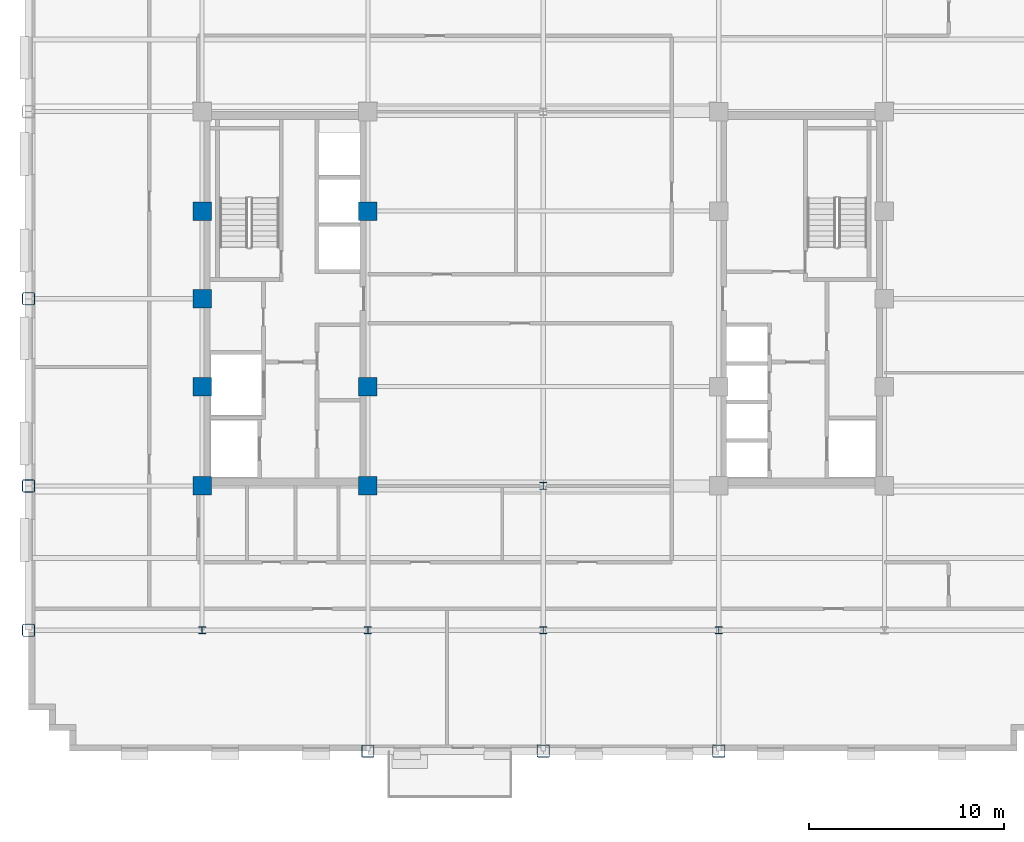
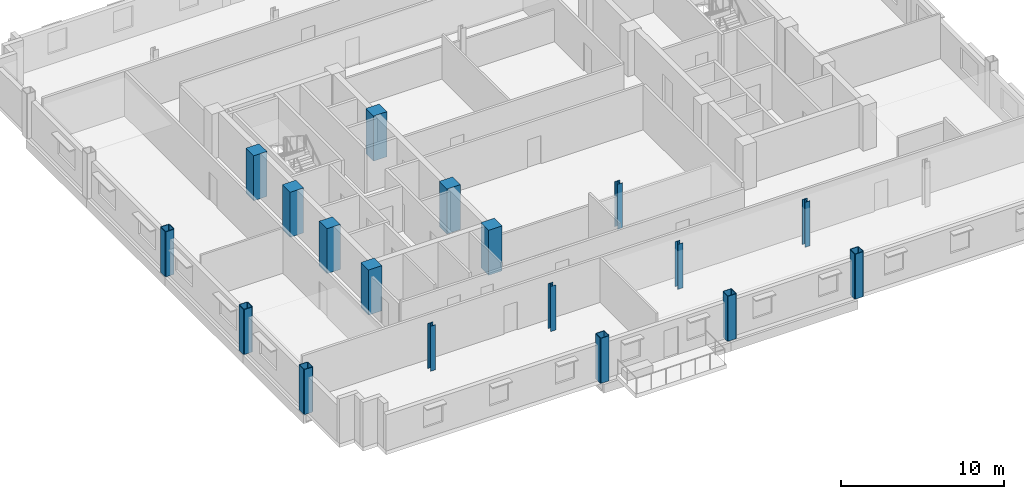
# One storey, part 1 of 14: 18 columns.
"""IFC4 building model written with IfcOpenShell, lengths in metres."""

from ifc_helpers import new_model, si_unit, direction, frame, origin, origin_2d, place, context, subcontext, project, spatial, rectangle, hollow_rectangle, i_section, extrude, material, material_profile, profile_set, type_object, element, save


model = new_model("IFC4")

# Units and contexts
model_context = context("Model", 3, precision=1e-05, world=origin(), true_north=direction((0.0, 1.0)))
body_context = subcontext(model_context, "Body", "Model", "MODEL_VIEW")
ifc_project = project(units=[si_unit("LENGTHUNIT", "METRE"), si_unit("AREAUNIT", "SQUARE_METRE"), si_unit("VOLUMEUNIT", "CUBIC_METRE"), si_unit("PLANEANGLEUNIT", "RADIAN"), si_unit("MASSUNIT", "GRAM", prefix="KILO")], contexts=[model_context])

# Site, building, storey
site_placement = place(None, origin())
site = spatial("IfcSite", under=ifc_project, at=site_placement, CompositionType="ELEMENT")
building_placement = place(site_placement, origin())
building = spatial("IfcBuilding", under=site, at=building_placement, Name="Nuvemarco Arch Tower", CompositionType="ELEMENT")
storey_placement = place(building_placement, frame((0.0, 0.0, 131.14990234375)))
storey = spatial("IfcBuildingStorey", under=building, at=storey_placement, Name="L34", CompositionType="ELEMENT", Elevation=131.14990234375)

# Columns
ifc_material_1 = material(Name="Concrete C50/60", Category="concrete")
ifc_material_profile_1 = material_profile(ifc_material_1, rectangle(XDim=0.949951171875, YDim=0.949951171875, at=origin_2d()), Name="RC-COL-950x950")
ifc_profile_set_1 = profile_set([ifc_material_profile_1], Name="Concrete C50/60")
column_type_1 = type_object("IfcColumnType", Name="COL-CORE-950", PredefinedType="COLUMN", material=ifc_profile_set_1)
for number, where, z_axis, x_axis, name in (
    (1, (-17.5, -9.60009765625, 0.0), (0.0, 0.0, 1.0), (1.0, 0.0, 0.0), "L34 column CC_-17.5_-9.6"),
    (2, (-17.5, -4.5, 0.0), (0.0, 0.0, 1.0), (1.0, 0.0, 0.0), "L34 column CC_-17.5_-4.5"),
    (3, (-17.5, 4.5, 0.0), (0.0, 0.0, 1.0), (1.0, 0.0, 0.0), "L34 column CC_-17.5_+4.5"),
    (4, (-9.0, -9.60009765625, 0.0), (0.0, 0.0, 1.0), (1.0, 0.0, 0.0), "L34 column CC_-9.0_-9.6"),
    (5, (-9.0, -4.5, 0.0), (0.0, 0.0, 1.0), (1.0, 0.0, 0.0), "L34 column CC_-9.0_-4.5"),
    (6, (-9.0, 4.5, 0.0), (0.0, 0.0, 1.0), (1.0, 0.0, 0.0), "L34 column CC_-9.0_+4.5"),
    (7, (-17.5, 0.0, 0.0), (0.0, 0.0, 1.0), (1.0, 0.0, 0.0), "L34 column CC_-17.5_+0.0"),
):
    element("IfcColumn", number, at=place(storey_placement, frame(where, z_axis=z_axis, x_axis=x_axis)), inside=storey, type_object=column_type_1, Name=name, PredefinedType="COLUMN", context=body_context, shape_type="SweptSolid", body=[
        extrude(rectangle(XDim=0.949951171875, YDim=0.949951171875, at=origin_2d()), origin(), (0.0, 0.0, 1.0), 3.3701171875),
    ])
ifc_material_2 = material(Name="Steel S355", Category="steel")
ifc_material_profile_2 = material_profile(ifc_material_2, hollow_rectangle(XDim=0.64990234375, YDim=0.64990234375, WallThickness=0.0400390625, InnerFilletRadius=0.0400390625, OuterFilletRadius=0.080078125, at=origin_2d()), Name="SHS650x650x40")
ifc_profile_set_2 = profile_set([ifc_material_profile_2], Name="Steel S355")
column_type_2 = type_object("IfcColumnType", Name="COL-EXO-650", PredefinedType="COLUMN", material=ifc_profile_set_2)
for number, where, z_axis, x_axis, name in (
    (8, (-26.39990234375, -17.0, 0.0), (0.0, 0.0, 1.0), (1.0, 0.0, 0.0), "L34 column CX_-26.4_-17.0"),
    (9, (-26.39990234375, -9.60009765625, 0.0), (0.0, 0.0, 1.0), (1.0, 0.0, 0.0), "L34 column CX_-26.4_-9.6"),
    (10, (-26.39990234375, 0.0, 0.0), (0.0, 0.0, 1.0), (1.0, 0.0, 0.0), "L34 column CX_-26.4_+0.0"),
    (11, (-9.0, -23.199951171875, 0.0), (0.0, 0.0, 1.0), (1.0, 0.0, 0.0), "L34 column CY_-9.0_-23.2"),
    (12, (0.0, -23.199951171875, 0.0), (0.0, 0.0, 1.0), (1.0, 0.0, 0.0), "L34 column CY_+0.0_-23.2"),
    (13, (9.0, -23.199951171875, 0.0), (0.0, 0.0, 1.0), (1.0, 0.0, 0.0), "L34 column CY_+9.0_-23.2"),
):
    element("IfcColumn", number, at=place(storey_placement, frame(where, z_axis=z_axis, x_axis=x_axis)), inside=storey, type_object=column_type_2, Name=name, PredefinedType="COLUMN", context=body_context, shape_type="SweptSolid", body=[
        extrude(hollow_rectangle(XDim=0.64990234375, YDim=0.64990234375, WallThickness=0.0400390625, InnerFilletRadius=0.0400390625, OuterFilletRadius=0.080078125, at=origin_2d()), origin(), (0.0, 0.0, 1.0), 3.3701171875),
    ])
ifc_material_profile_3 = material_profile(ifc_material_2, i_section(OverallWidth=0.360107421875, OverallDepth=0.360107421875, WebThickness=0.0205078125, FlangeThickness=0.0205078125, FilletRadius=0.01806640625, at=origin_2d()), Name="HP360x174")
ifc_profile_set_3 = profile_set([ifc_material_profile_3], Name="Steel S355")
column_type_3 = type_object("IfcColumnType", Name="COL-STL-HP360", PredefinedType="COLUMN", material=ifc_profile_set_3)
for number, where, z_axis, x_axis, name in (
    (14, (0.0, -17.0, 0.0), (0.0, 0.0, 1.0), (1.0, 0.0, 0.0), "L34 column CI_+0.0_-17.0"),
    (15, (0.0, -9.60009765625, 0.0), (0.0, 0.0, 1.0), (1.0, 0.0, 0.0), "L34 column CI_+0.0_-9.6"),
    (16, (-17.5, -17.0, 0.0), (0.0, 0.0, 1.0), (1.0, 0.0, 0.0), "L34 column CI_-17.5_-17.0"),
    (17, (-9.0, -17.0, 0.0), (0.0, 0.0, 1.0), (1.0, 0.0, 0.0), "L34 column CI_-9.0_-17.0"),
    (18, (9.0, -17.0, 0.0), (0.0, 0.0, 1.0), (1.0, 0.0, 0.0), "L34 column CI_+9.0_-17.0"),
):
    element("IfcColumn", number, at=place(storey_placement, frame(where, z_axis=z_axis, x_axis=x_axis)), inside=storey, type_object=column_type_3, Name=name, PredefinedType="COLUMN", context=body_context, shape_type="SweptSolid", body=[
        extrude(i_section(OverallWidth=0.360107421875, OverallDepth=0.360107421875, WebThickness=0.0205078125, FlangeThickness=0.0205078125, FilletRadius=0.01806640625, at=origin_2d()), origin(), (0.0, 0.0, 1.0), 3.3701171875),
    ])

save(model, "model.ifc")
